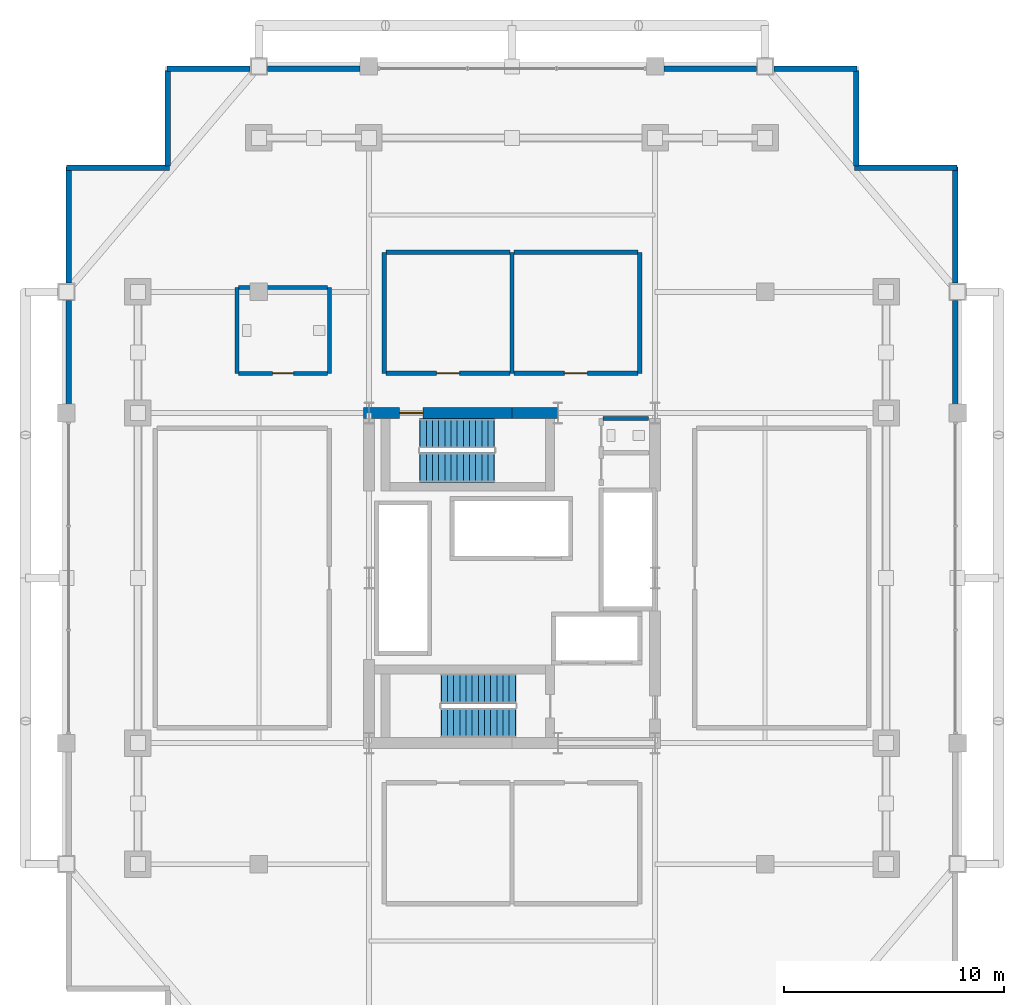
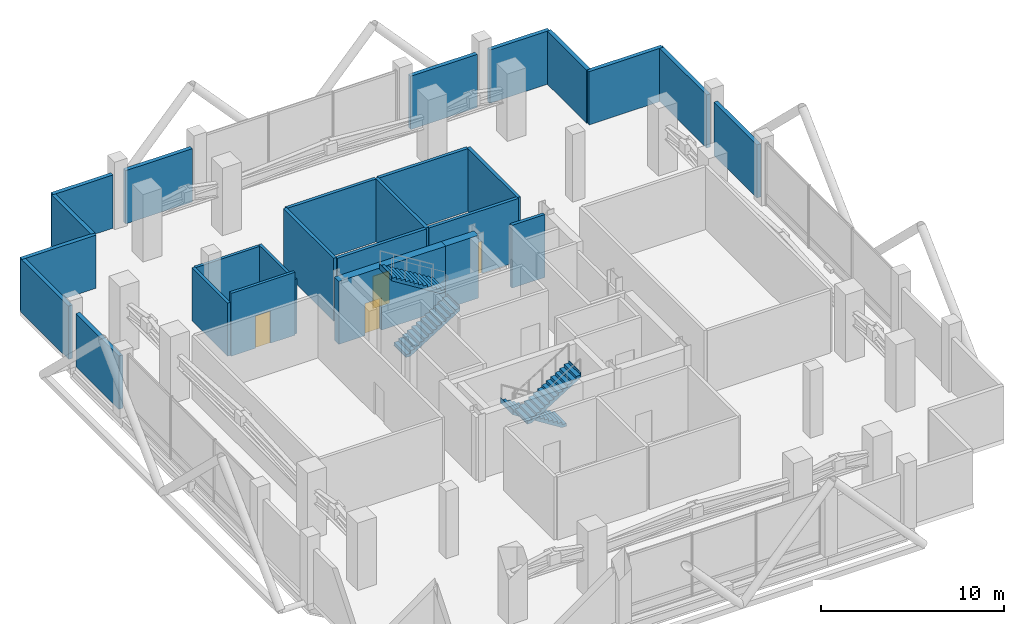
# One storey, part 20 of 22: 26 walls, 4 doors, 4 stair flights, 4 openings, 2 elements without a shape of their own.
"""IFC4 building model written with IfcOpenShell, lengths in metres."""

from ifc_helpers import new_model, si_unit, direction, frame, frame_2d, origin, place, context, subcontext, project, spatial, polyline, rectangle, outline, extrude, material, layer, layer_set, type_object, element, fill, aggregate, save


model = new_model("IFC4")

# Units and contexts
model_context = context("Model", 3, precision=1e-05, world=origin(), true_north=direction((0.0, 1.0)))
body_context = subcontext(model_context, "Body", "Model", "MODEL_VIEW")
ifc_project = project(units=[si_unit("LENGTHUNIT", "METRE"), si_unit("AREAUNIT", "SQUARE_METRE"), si_unit("VOLUMEUNIT", "CUBIC_METRE"), si_unit("PLANEANGLEUNIT", "RADIAN"), si_unit("MASSUNIT", "GRAM", prefix="KILO")], contexts=[model_context])

# Site, building, storey
site_placement = place(None, origin())
site = spatial("IfcSite", under=ifc_project, at=site_placement, CompositionType="ELEMENT")
building_placement = place(site_placement, origin())
building = spatial("IfcBuilding", under=site, at=building_placement, Name="Barlavira Tower and Art Museum", CompositionType="ELEMENT")
storey_placement = place(building_placement, frame((0.0, 0.0, 120.60009765625)))
storey = spatial("IfcBuildingStorey", under=building, at=storey_placement, Name="L30", CompositionType="ELEMENT", Elevation=120.60009765625)

# Wall, opening, door
ifc_material_1 = material(Name="Concrete C60", Category="concrete")
ifc_layer_1 = layer(ifc_material_1, 0.5, Name="Concrete C60")
ifc_layer_set_1 = layer_set([ifc_layer_1], Name="Concrete C60")
wall_type_1 = type_object("IfcWallType", Name="Core Structural Shear Wall 500 Concrete C60", PredefinedType="SHEAR", material=ifc_layer_set_1)
wall_1_placement = place(storey_placement, frame((-6.75, 7.5, 0.0), z_axis=(0.0, 0.0, 1.0), x_axis=(1.0, 0.0, 0.0)))
wall_1 = element("IfcWall", 1, at=wall_1_placement, inside=storey, type_object=wall_type_1, Name="L30 Core Shear Wall CS-NW", PredefinedType="SHEAR", context=body_context, shape_type="SweptSolid", body=[
    extrude(rectangle(XDim=6.75, YDim=0.5, at=frame_2d((3.375, 0.0))), origin(), (0.0, 0.0, 1.0), 4.199951171875),
])
opening_1_placement = place(wall_1_placement, frame((1.64990234375, 0.0, 0.0)))
opening_1 = element("IfcOpeningElement", 2, at=opening_1_placement, cuts=wall_1, Name="Opening FD-90", PredefinedType="OPENING", context=body_context, shape_type="SweptSolid", body=[
    extrude(rectangle(XDim=1.050048828125, YDim=2.14990234375, at=frame_2d((0.52490234375, 1.074951171875))), frame((0.0, 0.260009765625, 0.0), z_axis=(0.0, -1.0, 0.0), x_axis=(1.0, 0.0, 0.0)), (0.0, 0.0, 1.0), 0.52001953125),
])
ifc_material_2 = material(Name="Brushed stainless steel", Category="steel")
door_type_1 = type_object("IfcDoorType", Name="Stair and Refuge Fire Door 1050x2150 FD90S", OperationType="NOTDEFINED", PredefinedType="DOOR", material=ifc_material_2)
door_1_placement = place(opening_1_placement, origin())
door_1 = element("IfcDoor", 3, at=door_1_placement, inside=storey, type_object=door_type_1, Name="L30 Stair ST-T2 Fire Door", OperationType="SINGLE_SWING_LEFT", OverallHeight=2.14990234375, OverallWidth=1.050048828125, PredefinedType="DOOR", context=body_context, shape_type="SweptSolid", body=[
    extrude(rectangle(XDim=1.050048828125, YDim=2.14990234375, at=frame_2d((0.52490234375, 1.074951171875))), frame((0.0, 0.02490234375, 0.0), z_axis=(0.0, -1.0, 0.0), x_axis=(1.0, 0.0, 0.0)), (0.0, 0.0, 1.0), 0.050048828125),
])
fill(opening_1, door_1)

# Walls
wall_2_placement = place(storey_placement, frame((0.0, 7.5, 0.0), z_axis=(0.0, 0.0, 1.0), x_axis=(1.0, 0.0, 0.0)))
element("IfcWall", 4, at=wall_2_placement, inside=storey, type_object=wall_type_1, Name="L30 Core Shear Wall CS-EN", PredefinedType="SHEAR", context=body_context, shape_type="SweptSolid", body=[
    extrude(rectangle(XDim=2.080078125, YDim=0.5, at=frame_2d((1.0400390625, 0.0))), origin(), (0.0, 0.0, 1.0), 4.199951171875),
])
ifc_material_3 = material(Name="Autoclaved aerated concrete masonry", Category="masonry")
ifc_layer_2 = layer(ifc_material_3, 0.199951171875, Name="Autoclaved aerated concrete masonry")
ifc_layer_set_2 = layer_set([ifc_layer_2], Name="Autoclaved aerated concrete masonry")
wall_type_2 = type_object("IfcWallType", Name="Fire Compartment and Shaft Wall 200", PredefinedType="SOLIDWALL", material=ifc_layer_set_2)
for number, where, z_axis, x_axis, name in (
    (5, (-5.800048828125, 9.300048828125, 0.0), (0.0, 0.0, 1.0), (0.0, 1.0, 0.0), "L30 Partition Wall 6"),
    (6, (0.0, 9.300048828125, 0.0), (0.0, 0.0, 1.0), (0.0, 1.0, 0.0), "L30 Partition Wall 8"),
    (7, (5.800048828125, 9.300048828125, 0.0), (0.0, 0.0, 1.0), (0.0, 1.0, 0.0), "L30 Partition Wall 11"),
):
    element("IfcWall", number, at=place(storey_placement, frame(where, z_axis=z_axis, x_axis=x_axis)), inside=storey, type_object=wall_type_2, Name=name, PredefinedType="SOLIDWALL", context=body_context, shape_type="SweptSolid", body=[
        extrude(rectangle(XDim=5.5, YDim=0.199951171875, at=frame_2d((2.75, 0.0))), origin(), (0.0, 0.0, 1.0), 4.199951171875),
    ])
wall_3_placement = place(storey_placement, frame((4.1298828125, 7.25, 0.0), z_axis=(0.0, 0.0, 1.0), x_axis=(1.0, 0.0, 0.0)))
element("IfcWall", 8, at=wall_3_placement, inside=storey, type_object=wall_type_2, Name="L30 Partition Wall 23", PredefinedType="SOLIDWALL", context=body_context, shape_type="SweptSolid", body=[
    extrude(rectangle(XDim=2.070068359375, YDim=0.199951171875, at=frame_2d((1.03515625, 0.0))), origin(), (0.0, 0.0, 1.0), 4.199951171875),
])

# Wall, opening, door
wall_4_placement = place(storey_placement, frame((-5.719970703125, 9.300048828125, 0.0), z_axis=(0.0, 0.0, 1.0), x_axis=(1.0, 0.0, 0.0)))
wall_4 = element("IfcWall", 9, at=wall_4_placement, inside=storey, type_object=wall_type_2, Name="L30 Partition Wall 25", PredefinedType="SOLIDWALL", context=body_context, shape_type="SweptSolid", body=[
    extrude(rectangle(XDim=5.639892578125, YDim=0.199951171875, at=frame_2d((2.81982421875, 0.0))), origin(), (0.0, 0.0, 1.0), 4.199951171875),
])
opening_2_placement = place(wall_4_placement, frame((2.294921875, 0.0, 0.0)))
opening_2 = element("IfcOpeningElement", 10, at=opening_2_placement, cuts=wall_4, Name="Opening FD-90", PredefinedType="OPENING", context=body_context, shape_type="SweptSolid", body=[
    extrude(rectangle(XDim=1.050048828125, YDim=2.14990234375, at=frame_2d((0.52490234375, 1.074951171875))), frame((0.0, 0.10986328125, 0.0), z_axis=(0.0, -1.0, 0.0), x_axis=(1.0, 0.0, 0.0)), (0.0, 0.0, 1.0), 0.219970703125),
])
door_2_placement = place(opening_2_placement, origin())
door_2 = element("IfcDoor", 11, at=door_2_placement, inside=storey, type_object=door_type_1, Name="L30 Domestic Water Tank and Transfer Pump Room Door", OperationType="SINGLE_SWING_LEFT", OverallHeight=2.14990234375, OverallWidth=1.050048828125, PredefinedType="DOOR", context=body_context, shape_type="SweptSolid", body=[
    extrude(rectangle(XDim=1.050048828125, YDim=2.14990234375, at=frame_2d((0.52490234375, 1.074951171875))), frame((0.0, 0.02490234375, 0.0), z_axis=(0.0, -1.0, 0.0), x_axis=(1.0, 0.0, 0.0)), (0.0, 0.0, 1.0), 0.050048828125),
])
fill(opening_2, door_2)

wall_5_placement = place(storey_placement, frame((0.080078125, 9.300048828125, 0.0), z_axis=(0.0, 0.0, 1.0), x_axis=(1.0, 0.0, 0.0)))
wall_5 = element("IfcWall", 12, at=wall_5_placement, inside=storey, type_object=wall_type_2, Name="L30 Partition Wall 26", PredefinedType="SOLIDWALL", context=body_context, shape_type="SweptSolid", body=[
    extrude(rectangle(XDim=5.639892578125, YDim=0.199951171875, at=frame_2d((2.81982421875, 0.0))), origin(), (0.0, 0.0, 1.0), 4.199951171875),
])
opening_3_placement = place(wall_5_placement, frame((2.294921875, 0.0, 0.0)))
opening_3 = element("IfcOpeningElement", 13, at=opening_3_placement, cuts=wall_5, Name="Opening FD-90", PredefinedType="OPENING", context=body_context, shape_type="SweptSolid", body=[
    extrude(rectangle(XDim=1.050048828125, YDim=2.14990234375, at=frame_2d((0.52490234375, 1.074951171875))), frame((0.0, 0.10986328125, 0.0), z_axis=(0.0, -1.0, 0.0), x_axis=(1.0, 0.0, 0.0)), (0.0, 0.0, 1.0), 0.219970703125),
])
door_3_placement = place(opening_3_placement, origin())
door_3 = element("IfcDoor", 14, at=door_3_placement, inside=storey, type_object=door_type_1, Name="L30 HV Transformer and Switchgear Plant Room Door", OperationType="SINGLE_SWING_RIGHT", OverallHeight=2.14990234375, OverallWidth=1.050048828125, PredefinedType="DOOR", context=body_context, shape_type="SweptSolid", body=[
    extrude(rectangle(XDim=1.050048828125, YDim=2.14990234375, at=frame_2d((0.52490234375, 1.074951171875))), frame((0.0, 0.02490234375, 0.0), z_axis=(0.0, -1.0, 0.0), x_axis=(1.0, 0.0, 0.0)), (0.0, 0.0, 1.0), 0.050048828125),
])
fill(opening_3, door_3)

# Walls
for number, where, z_axis, x_axis, name in (
    (15, (-5.719970703125, 14.800048828125, 0.0), (0.0, 0.0, 1.0), (1.0, 0.0, 0.0), "L30 Partition Wall 28"),
    (16, (0.080078125, 14.800048828125, 0.0), (0.0, 0.0, 1.0), (1.0, 0.0, 0.0), "L30 Partition Wall 29"),
):
    element("IfcWall", number, at=place(storey_placement, frame(where, z_axis=z_axis, x_axis=x_axis)), inside=storey, type_object=wall_type_2, Name=name, PredefinedType="SOLIDWALL", context=body_context, shape_type="SweptSolid", body=[
        extrude(rectangle(XDim=5.639892578125, YDim=0.199951171875, at=frame_2d((2.81982421875, 0.0))), origin(), (0.0, 0.0, 1.0), 4.199951171875),
    ])
ifc_material_4 = material(Name="Gypsum acoustic stud partition", Category="gypsum")
ifc_layer_3 = layer(ifc_material_4, 0.179931640625, Name="Gypsum acoustic stud partition")
ifc_layer_set_3 = layer_set([ifc_layer_3], Name="Gypsum acoustic stud partition")
wall_type_3 = type_object("IfcWallType", Name="Inter-Tenancy Party Partition Wall 180", PredefinedType="PARTITIONING", material=ifc_layer_set_3)
wall_6_placement = place(storey_placement, frame((-12.5, 9.300048828125, 0.0), z_axis=(0.0, 0.0, 1.0), x_axis=(0.0, 1.0, 0.0)))
element("IfcWall", 17, at=wall_6_placement, inside=storey, type_object=wall_type_3, Name="L30 Partition Wall 2", PredefinedType="PARTITIONING", context=body_context, shape_type="SweptSolid", body=[
    extrude(rectangle(XDim=3.89990234375, YDim=0.179931640625, at=frame_2d((1.949951171875, 0.0))), origin(), (0.0, 0.0, 1.0), 3.555908203125),
])
wall_7_placement = place(storey_placement, frame((-8.300048828125, 9.300048828125, 0.0), z_axis=(0.0, 0.0, 1.0), x_axis=(0.0, 1.0, 0.0)))
element("IfcWall", 18, at=wall_7_placement, inside=storey, type_object=wall_type_3, Name="L30 Partition Wall 4", PredefinedType="PARTITIONING", context=body_context, shape_type="SweptSolid", body=[
    extrude(rectangle(XDim=3.89990234375, YDim=0.179931640625, at=frame_2d((1.949951171875, 0.0))), origin(), (0.0, 0.0, 1.0), 3.635986328125),
])

# Wall, opening, door
wall_8_placement = place(storey_placement, frame((-12.419921875, 9.300048828125, 0.0), z_axis=(0.0, 0.0, 1.0), x_axis=(1.0, 0.0, 0.0)))
wall_8 = element("IfcWall", 19, at=wall_8_placement, inside=storey, type_object=wall_type_3, Name="L30 Partition Wall 24", PredefinedType="PARTITIONING", context=body_context, shape_type="SweptSolid", body=[
    extrude(rectangle(XDim=4.0400390625, YDim=0.179931640625, at=frame_2d((2.02001953125, 0.0))), origin(), (0.0, 0.0, 1.0), 4.199951171875),
])
opening_4_placement = place(wall_8_placement, frame((1.544921875, 0.0, 0.0)))
opening_4 = element("IfcOpeningElement", 20, at=opening_4_placement, cuts=wall_8, Name="Opening FD-60", PredefinedType="OPENING", context=body_context, shape_type="SweptSolid", body=[
    extrude(rectangle(XDim=0.949951171875, YDim=2.14990234375, at=frame_2d((0.47509765625, 1.074951171875))), frame((0.0, 0.10009765625, 0.0), z_axis=(0.0, -1.0, 0.0), x_axis=(1.0, 0.0, 0.0)), (0.0, 0.0, 1.0), 0.199951171875),
])
door_type_2 = type_object("IfcDoorType", Name="Apartment Entrance and Riser Fire Door 950x2150 FD60S", OperationType="NOTDEFINED", PredefinedType="DOOR", material=ifc_material_2)
door_4_placement = place(opening_4_placement, origin())
door_4 = element("IfcDoor", 21, at=door_4_placement, inside=storey, type_object=door_type_2, Name="L30 Maintenance Staff Accessible WC Door", OperationType="SINGLE_SWING_LEFT", OverallHeight=2.14990234375, OverallWidth=0.949951171875, PredefinedType="DOOR", context=body_context, shape_type="SweptSolid", body=[
    extrude(rectangle(XDim=0.949951171875, YDim=2.14990234375, at=frame_2d((0.47509765625, 1.074951171875))), frame((0.0, 0.02490234375, 0.0), z_axis=(0.0, -1.0, 0.0), x_axis=(1.0, 0.0, 0.0)), (0.0, 0.0, 1.0), 0.050048828125),
])
fill(opening_4, door_4)

# Walls
wall_9_placement = place(storey_placement, frame((-12.419921875, 13.199951171875, 0.0), z_axis=(0.0, 0.0, 1.0), x_axis=(1.0, 0.0, 0.0)))
element("IfcWall", 22, at=wall_9_placement, inside=storey, type_object=wall_type_3, Name="L30 Partition Wall 27", PredefinedType="PARTITIONING", context=body_context, shape_type="SweptSolid", body=[
    extrude(rectangle(XDim=4.0400390625, YDim=0.179931640625, at=frame_2d((2.02001953125, 0.0))), origin(), (0.0, 0.0, 1.0), 3.555908203125),
])
ifc_material_5 = material(Name="Precast concrete C40", Category="concrete")
ifc_layer_4 = layer(ifc_material_5, 0.25, Name="Precast concrete C40")
ifc_layer_set_4 = layer_set([ifc_layer_4], Name="Precast concrete C40")
wall_type_4 = type_object("IfcWallType", Name="Notched Corner Spandrel Wall 250 Precast Concrete C40", PredefinedType="SOLIDWALL", material=ifc_layer_set_4)
wall_10_placement = place(storey_placement, frame((15.675048828125, 23.14990234375, 0.0), z_axis=(0.0, 0.0, 1.0), x_axis=(-1.0, 0.0, 0.0)))
element("IfcWall", 23, at=wall_10_placement, inside=storey, type_object=wall_type_4, Name="L30 Coastal Facade Pier Wall CW2-L30-N-1", PredefinedType="SOLIDWALL", context=body_context, shape_type="SweptSolid", body=[
    extrude(rectangle(XDim=3.780029296875, YDim=0.25, at=frame_2d((1.89013671875, 0.0))), origin(), (0.0, 0.0, 1.0), 3.555908203125),
])
for number, where, z_axis, x_axis, name in (
    (24, (11.10498046875, 23.14990234375, 0.0), (0.0, 0.0, 1.0), (-1.0, 0.0, 0.0), "L30 Coastal Facade Pier Wall CW2-L30-N-2"),
    (25, (-6.89501953125, 23.14990234375, 0.0), (0.0, 0.0, 1.0), (-1.0, 0.0, 0.0), "L30 Coastal Facade Pier Wall CW2-L30-N-4"),
):
    element("IfcWall", number, at=place(storey_placement, frame(where, z_axis=z_axis, x_axis=x_axis)), inside=storey, type_object=wall_type_4, Name=name, PredefinedType="SOLIDWALL", context=body_context, shape_type="SweptSolid", body=[
        extrude(rectangle(XDim=4.2099609375, YDim=0.25, at=frame_2d((2.10498046875, 0.0))), origin(), (0.0, 0.0, 1.0), 3.555908203125),
    ])
wall_11_placement = place(storey_placement, frame((-11.89501953125, 23.14990234375, 0.0), z_axis=(0.0, 0.0, 1.0), x_axis=(-1.0, 0.0, 0.0)))
element("IfcWall", 26, at=wall_11_placement, inside=storey, type_object=wall_type_4, Name="L30 Coastal Facade Pier Wall CW2-L30-N-5", PredefinedType="SOLIDWALL", context=body_context, shape_type="SweptSolid", body=[
    extrude(rectangle(XDim=3.780029296875, YDim=0.25, at=frame_2d((1.89013671875, 0.0))), origin(), (0.0, 0.0, 1.0), 3.555908203125),
])
wall_12_placement = place(storey_placement, frame((-20.14990234375, 18.675048828125, 0.0), z_axis=(0.0, 0.0, 1.0), x_axis=(0.0, -1.0, 0.0)))
element("IfcWall", 27, at=wall_12_placement, inside=storey, type_object=wall_type_4, Name="L30 Coastal Facade Pier Wall CW2-L30-W-1", PredefinedType="SOLIDWALL", context=body_context, shape_type="SweptSolid", body=[
    extrude(rectangle(XDim=5.280029296875, YDim=0.25, at=frame_2d((2.64013671875, 0.0))), origin(), (0.0, 0.0, 1.0), 3.555908203125),
])
for number, where, z_axis, x_axis, name in (
    (28, (-20.14990234375, 12.60498046875, 0.0), (0.0, 0.0, 1.0), (0.0, -1.0, 0.0), "L30 Coastal Facade Pier Wall CW2-L30-W-2"),
    (29, (20.14990234375, 7.89501953125, 0.0), (0.0, 0.0, 1.0), (0.0, 1.0, 0.0), "L30 Coastal Facade Pier Wall CW2-L30-E-4"),
):
    element("IfcWall", number, at=place(storey_placement, frame(where, z_axis=z_axis, x_axis=x_axis)), inside=storey, type_object=wall_type_4, Name=name, PredefinedType="SOLIDWALL", context=body_context, shape_type="SweptSolid", body=[
        extrude(rectangle(XDim=4.7099609375, YDim=0.25, at=frame_2d((2.35498046875, 0.0))), origin(), (0.0, 0.0, 1.0), 3.555908203125),
    ])
wall_13_placement = place(storey_placement, frame((20.14990234375, 13.39501953125, 0.0), z_axis=(0.0, 0.0, 1.0), x_axis=(0.0, 1.0, 0.0)))
element("IfcWall", 30, at=wall_13_placement, inside=storey, type_object=wall_type_4, Name="L30 Coastal Facade Pier Wall CW2-L30-E-5", PredefinedType="SOLIDWALL", context=body_context, shape_type="SweptSolid", body=[
    extrude(rectangle(XDim=5.280029296875, YDim=0.25, at=frame_2d((2.64013671875, 0.0))), origin(), (0.0, 0.0, 1.0), 3.555908203125),
])
wall_14_placement = place(storey_placement, frame((20.22998046875, 18.64990234375, 0.0), z_axis=(0.0, 0.0, 1.0), x_axis=(-1.0, 0.0, 0.0)))
element("IfcWall", 31, at=wall_14_placement, inside=storey, type_object=wall_type_4, Name="L30 Notch Corner Wall NE1", PredefinedType="SOLIDWALL", context=body_context, shape_type="SweptSolid", body=[
    extrude(rectangle(XDim=4.659912109375, YDim=0.25, at=frame_2d((2.330078125, 0.0))), origin(), (0.0, 0.0, 1.0), 3.555908203125),
])
for number, where, z_axis, x_axis, name in (
    (32, (15.64990234375, 18.72998046875, 0.0), (0.0, 0.0, 1.0), (0.0, 1.0, 0.0), "L30 Notch Corner Wall NE2"),
    (33, (-15.64990234375, 23.070068359375, 0.0), (0.0, 0.0, 1.0), (0.0, -1.0, 0.0), "L30 Notch Corner Wall NW1"),
):
    element("IfcWall", number, at=place(storey_placement, frame(where, z_axis=z_axis, x_axis=x_axis)), inside=storey, type_object=wall_type_4, Name=name, PredefinedType="SOLIDWALL", context=body_context, shape_type="SweptSolid", body=[
        extrude(rectangle(XDim=4.340087890625, YDim=0.25, at=frame_2d((2.169921875, 0.0))), origin(), (0.0, 0.0, 1.0), 3.555908203125),
    ])
wall_15_placement = place(storey_placement, frame((-15.570068359375, 18.64990234375, 0.0), z_axis=(0.0, 0.0, 1.0), x_axis=(-1.0, 0.0, 0.0)))
element("IfcWall", 34, at=wall_15_placement, inside=storey, type_object=wall_type_4, Name="L30 Notch Corner Wall NW2", PredefinedType="SOLIDWALL", context=body_context, shape_type="SweptSolid", body=[
    extrude(rectangle(XDim=4.659912109375, YDim=0.25, at=frame_2d((2.330078125, 0.0))), origin(), (0.0, 0.0, 1.0), 3.555908203125),
])

# Stair, stair flights
ifc_material_6 = material(Name="Concrete C45", Category="concrete")
stair_type_1 = type_object("IfcStairType", Name="Tower North Dog-Leg Exit Stair Assembly Concrete C45", PredefinedType="TWO_QUARTER_TURN_STAIR", material=ifc_material_6)
stair_1_placement = place(storey_placement, origin())
stair_1 = element("IfcStair", 35, at=stair_1_placement, inside=storey, type_object=stair_type_1, Name="L30 Tower North Exit Stair ST-T2", PredefinedType="TWO_QUARTER_TURN_STAIR")
ifc_material_7 = material(Name="Precast concrete C45", Category="concrete")
stair_flight_type_1 = type_object("IfcStairFlightType", Name="Tower North Dog-Leg Exit Stair Precast Flight 1350 Concrete C45", PredefinedType="STRAIGHT", material=ifc_material_7)
stair_flight_1_placement = place(storey_placement, frame((-4.169921875, 5.02490234375, 0.0), z_axis=(0.0, 0.0, 1.0), x_axis=(1.0, 0.0, 0.0)))
stair_flight_1 = element("IfcStairFlight", 36, at=stair_flight_1_placement, type_object=stair_flight_type_1, Name="ST-T2 flight 1", NumberOfRisers=13, NumberOfTreads=12, PredefinedType="STRAIGHT", RiserHeight=0.173076923, TreadLength=0.28, context=body_context, shape_type="SweptSolid", body=[
    extrude(outline(polyline([(-0.02490234375, 0.0), (0.0, 0.0), (0.0, 0.173095703125), (0.280029296875, 0.173095703125), (0.280029296875, 0.34619140625), (0.56005859375, 0.34619140625), (0.56005859375, 0.519287109375), (0.840087890625, 0.519287109375), (0.840087890625, 0.6923828125), (1.1201171875, 0.6923828125), (1.1201171875, 0.865478515625), (1.39990234375, 0.865478515625), (1.39990234375, 1.03857421875), (1.679931640625, 1.03857421875), (1.679931640625, 1.21142578125), (1.9599609375, 1.21142578125), (1.9599609375, 1.384521484375), (2.239990234375, 1.384521484375), (2.239990234375, 1.5576171875), (2.52001953125, 1.5576171875), (2.52001953125, 1.730712890625), (2.800048828125, 1.730712890625), (2.800048828125, 1.90380859375), (3.080078125, 1.90380859375), (3.080078125, 2.076904296875), (3.360107421875, 2.076904296875), (3.360107421875, 2.25), (3.385009765625, 2.25), (3.385009765625, 1.900634765625), (3.360107421875, 1.900634765625), (0.28515625, -0.02490234375), (-0.02490234375, -0.02490234375), (-0.02490234375, 0.0)])), frame((0.0, 0.675048828125, 0.0), z_axis=(0.0, -1.0, 0.0), x_axis=(1.0, 0.0, 0.0)), (0.0, 0.0, 1.0), 1.35009765625),
])
stair_flight_2_placement = place(storey_placement, frame((-0.81005859375, 6.574951171875, 2.25), z_axis=(0.0, 0.0, 1.0), x_axis=(-1.0, 0.0, 0.0)))
stair_flight_2 = element("IfcStairFlight", 37, at=stair_flight_2_placement, type_object=stair_flight_type_1, Name="ST-T2 flight 2", NumberOfRisers=13, NumberOfTreads=12, PredefinedType="STRAIGHT", RiserHeight=0.173076923, TreadLength=0.28, context=body_context, shape_type="SweptSolid", body=[
    extrude(outline(polyline([(-0.02490234375, 0.0), (0.0, 0.0), (0.0, 0.173095703125), (0.280029296875, 0.173095703125), (0.280029296875, 0.34619140625), (0.56005859375, 0.34619140625), (0.56005859375, 0.519287109375), (0.840087890625, 0.519287109375), (0.840087890625, 0.6923828125), (1.1201171875, 0.6923828125), (1.1201171875, 0.865478515625), (1.39990234375, 0.865478515625), (1.39990234375, 1.03857421875), (1.679931640625, 1.03857421875), (1.679931640625, 1.21142578125), (1.9599609375, 1.21142578125), (1.9599609375, 1.384521484375), (2.239990234375, 1.384521484375), (2.239990234375, 1.5576171875), (2.52001953125, 1.5576171875), (2.52001953125, 1.730712890625), (2.800048828125, 1.730712890625), (2.800048828125, 1.90380859375), (3.080078125, 1.90380859375), (3.080078125, 2.076904296875), (3.360107421875, 2.076904296875), (3.360107421875, 2.25), (3.385009765625, 2.25), (3.385009765625, 1.900634765625), (3.360107421875, 1.900634765625), (0.28515625, -0.02490234375), (-0.02490234375, -0.02490234375), (-0.02490234375, 0.0)])), frame((0.0, 0.675048828125, 0.0), z_axis=(0.0, -1.0, 0.0), x_axis=(1.0, 0.0, 0.0)), (0.0, 0.0, 1.0), 1.35009765625),
])
aggregate(stair_1, [stair_flight_1, stair_flight_2])

stair_type_2 = type_object("IfcStairType", Name="Tower South Dog-Leg Exit Stair Assembly Concrete C45", PredefinedType="TWO_QUARTER_TURN_STAIR", material=ifc_material_6)
stair_2_placement = place(storey_placement, origin())
stair_2 = element("IfcStair", 38, at=stair_2_placement, inside=storey, type_object=stair_type_2, Name="L30 Tower South Exit Stair ST-T1", PredefinedType="TWO_QUARTER_TURN_STAIR")
stair_flight_type_2 = type_object("IfcStairFlightType", Name="Tower South Dog-Leg Exit Stair Precast Flight 1350 Concrete C45", PredefinedType="STRAIGHT", material=ifc_material_7)
stair_flight_3_placement = place(storey_placement, frame((0.14990234375, -5.02490234375, 0.0), z_axis=(0.0, 0.0, 1.0), x_axis=(-1.0, 0.0, 0.0)))
stair_flight_3 = element("IfcStairFlight", 39, at=stair_flight_3_placement, type_object=stair_flight_type_2, Name="ST-T1 flight 1", NumberOfRisers=13, NumberOfTreads=12, PredefinedType="STRAIGHT", RiserHeight=0.173076923, TreadLength=0.28, context=body_context, shape_type="SweptSolid", body=[
    extrude(outline(polyline([(-0.02490234375, 0.0), (0.0, 0.0), (0.0, 0.173095703125), (0.280029296875, 0.173095703125), (0.280029296875, 0.34619140625), (0.56005859375, 0.34619140625), (0.56005859375, 0.519287109375), (0.840087890625, 0.519287109375), (0.840087890625, 0.6923828125), (1.1201171875, 0.6923828125), (1.1201171875, 0.865478515625), (1.39990234375, 0.865478515625), (1.39990234375, 1.03857421875), (1.679931640625, 1.03857421875), (1.679931640625, 1.21142578125), (1.9599609375, 1.21142578125), (1.9599609375, 1.384521484375), (2.239990234375, 1.384521484375), (2.239990234375, 1.5576171875), (2.52001953125, 1.5576171875), (2.52001953125, 1.730712890625), (2.800048828125, 1.730712890625), (2.800048828125, 1.90380859375), (3.080078125, 1.90380859375), (3.080078125, 2.076904296875), (3.360107421875, 2.076904296875), (3.360107421875, 2.25), (3.385009765625, 2.25), (3.385009765625, 1.900634765625), (3.360107421875, 1.900634765625), (0.28515625, -0.02490234375), (-0.02490234375, -0.02490234375), (-0.02490234375, 0.0)])), frame((0.0, 0.675048828125, 0.0), z_axis=(0.0, -1.0, 0.0), x_axis=(1.0, 0.0, 0.0)), (0.0, 0.0, 1.0), 1.35009765625),
])
stair_flight_4_placement = place(storey_placement, frame((-3.2099609375, -6.574951171875, 2.25), z_axis=(0.0, 0.0, 1.0), x_axis=(1.0, 0.0, 0.0)))
stair_flight_4 = element("IfcStairFlight", 40, at=stair_flight_4_placement, type_object=stair_flight_type_2, Name="ST-T1 flight 2", NumberOfRisers=13, NumberOfTreads=12, PredefinedType="STRAIGHT", RiserHeight=0.173076923, TreadLength=0.28, context=body_context, shape_type="SweptSolid", body=[
    extrude(outline(polyline([(-0.02490234375, 0.0), (0.0, 0.0), (0.0, 0.173095703125), (0.280029296875, 0.173095703125), (0.280029296875, 0.34619140625), (0.56005859375, 0.34619140625), (0.56005859375, 0.519287109375), (0.840087890625, 0.519287109375), (0.840087890625, 0.6923828125), (1.1201171875, 0.6923828125), (1.1201171875, 0.865478515625), (1.39990234375, 0.865478515625), (1.39990234375, 1.03857421875), (1.679931640625, 1.03857421875), (1.679931640625, 1.21142578125), (1.9599609375, 1.21142578125), (1.9599609375, 1.384521484375), (2.239990234375, 1.384521484375), (2.239990234375, 1.5576171875), (2.52001953125, 1.5576171875), (2.52001953125, 1.730712890625), (2.800048828125, 1.730712890625), (2.800048828125, 1.90380859375), (3.080078125, 1.90380859375), (3.080078125, 2.076904296875), (3.360107421875, 2.076904296875), (3.360107421875, 2.25), (3.385009765625, 2.25), (3.385009765625, 1.900634765625), (3.360107421875, 1.900634765625), (0.28515625, -0.02490234375), (-0.02490234375, -0.02490234375), (-0.02490234375, 0.0)])), frame((0.0, 0.675048828125, 0.0), z_axis=(0.0, -1.0, 0.0), x_axis=(1.0, 0.0, 0.0)), (0.0, 0.0, 1.0), 1.35009765625),
])
aggregate(stair_2, [stair_flight_3, stair_flight_4])

save(model, "model.ifc")
